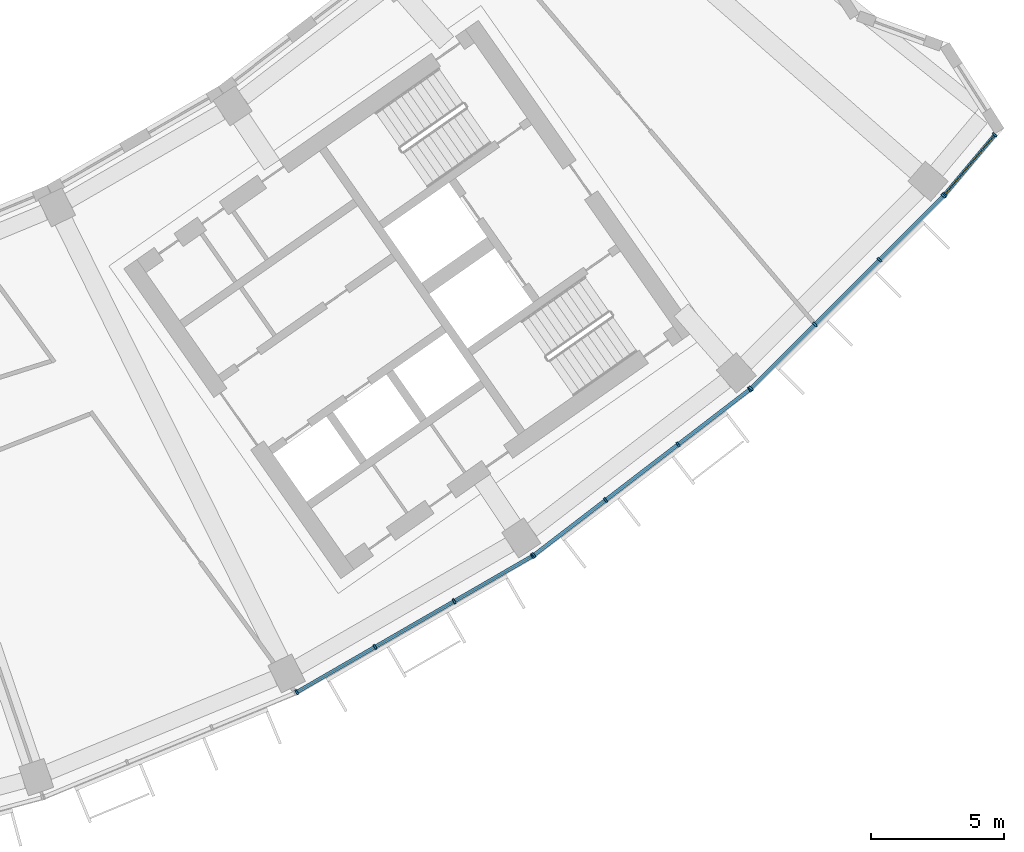
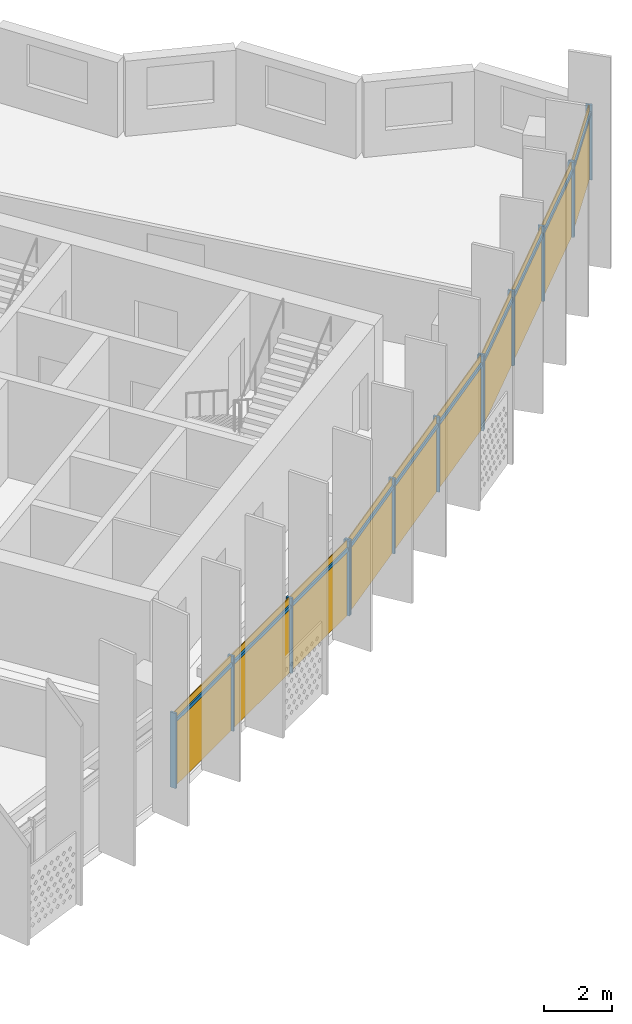
# One storey, part 21 of 28: 24 members, 4 curtain walls.
"""IFC4 building model written with IfcOpenShell, lengths in metres."""

from ifc_helpers import new_model, si_unit, direction, frame, origin, origin_2d, place, context, subcontext, project, spatial, rectangle, extrude, material, material_profile, profile_set, type_object, element, aggregate, save


model = new_model("IFC4")

# Units and contexts
model_context = context("Model", 3, precision=1e-05, world=origin(), true_north=direction((0.0, 1.0)))
body_context = subcontext(model_context, "Body", "Model", "MODEL_VIEW")
ifc_project = project(units=[si_unit("LENGTHUNIT", "METRE"), si_unit("AREAUNIT", "SQUARE_METRE"), si_unit("VOLUMEUNIT", "CUBIC_METRE"), si_unit("PLANEANGLEUNIT", "RADIAN"), si_unit("MASSUNIT", "GRAM", prefix="KILO")], contexts=[model_context])

# Member
ifc_material = material(Name="Aluminium 6063-T6 anodised", Category="aluminium")
ifc_material_profile_1 = material_profile(ifc_material, rectangle(XDim=0.199951171875, YDim=0.070068359375, at=origin_2d()))
ifc_profile_set_1 = profile_set([ifc_material_profile_1], Name="Aluminium 6063-T6 anodised")
member_type_1 = type_object("IfcMemberType", Name="Mullion 70 x 200 aluminium", PredefinedType="MULLION", material=ifc_profile_set_1)
site_placement = place(None, origin())
building_placement = place(site_placement, origin())
storey_placement = place(building_placement, frame((0.0, 0.0, 241.699951171875)))
member_1_placement = place(storey_placement, frame((34.766357421875, -70.43505859375, 0.0), z_axis=(0.0, 0.0, 1.0), x_axis=(-0.5, 0.866025403784, 0.0)))
member_1 = element("IfcMember", 1, at=member_1_placement, type_object=member_type_1, Name="e-cw1-L58-out12/M00", PredefinedType="MULLION", context=body_context, shape_type="SweptSolid", body=[
    extrude(rectangle(XDim=0.199951171875, YDim=0.070068359375, at=origin_2d()), origin(), (0.0, 0.0, 1.0), 2.699951171875),
])

member_2_placement = place(storey_placement, frame((37.705810546875, -68.73779296875, 0.0), z_axis=(0.0, 0.0, 1.0), x_axis=(-0.5, 0.866025403784, 0.0)))
member_2 = element("IfcMember", 2, at=member_2_placement, type_object=member_type_1, Name="e-cw1-L58-out12/M01", PredefinedType="MULLION", context=body_context, shape_type="SweptSolid", body=[
    extrude(rectangle(XDim=0.199951171875, YDim=0.070068359375, at=origin_2d()), origin(), (0.0, 0.0, 1.0), 2.699951171875),
])

member_3_placement = place(storey_placement, frame((40.67578125, -67.023193359375, 0.0), z_axis=(0.0, 0.0, 1.0), x_axis=(-0.5, 0.866025403784, 0.0)))
member_3 = element("IfcMember", 3, at=member_3_placement, type_object=member_type_1, Name="e-cw1-L58-out12/M02", PredefinedType="MULLION", context=body_context, shape_type="SweptSolid", body=[
    extrude(rectangle(XDim=0.199951171875, YDim=0.070068359375, at=origin_2d()), origin(), (0.0, 0.0, 1.0), 2.699951171875),
])

member_4_placement = place(storey_placement, frame((43.615234375, -65.325927734375, 0.0), z_axis=(0.0, 0.0, 1.0), x_axis=(-0.5, 0.866025403784, 0.0)))
member_4 = element("IfcMember", 4, at=member_4_placement, type_object=member_type_1, Name="e-cw1-L58-out12/M03", PredefinedType="MULLION", context=body_context, shape_type="SweptSolid", body=[
    extrude(rectangle(XDim=0.199951171875, YDim=0.070068359375, at=origin_2d()), origin(), (0.0, 0.0, 1.0), 2.699951171875),
])

member_5_placement = place(storey_placement, frame((43.66259765625, -65.29443359375, 0.0), z_axis=(0.0, 0.0, 1.0), x_axis=(-0.608761429009, 0.793353340291, 0.0)))
member_5 = element("IfcMember", 5, at=member_5_placement, type_object=member_type_1, Name="e-cw1-L58-out13/M00", PredefinedType="MULLION", context=body_context, shape_type="SweptSolid", body=[
    extrude(rectangle(XDim=0.199951171875, YDim=0.070068359375, at=origin_2d()), origin(), (0.0, 0.0, 1.0), 2.699951171875),
])

member_6_placement = place(storey_placement, frame((46.35546875, -63.22802734375, 0.0), z_axis=(0.0, 0.0, 1.0), x_axis=(-0.608761429009, 0.793353340291, 0.0)))
member_6 = element("IfcMember", 6, at=member_6_placement, type_object=member_type_1, Name="e-cw1-L58-out13/M01", PredefinedType="MULLION", context=body_context, shape_type="SweptSolid", body=[
    extrude(rectangle(XDim=0.199951171875, YDim=0.070068359375, at=origin_2d()), origin(), (0.0, 0.0, 1.0), 2.699951171875),
])

member_7_placement = place(storey_placement, frame((49.075927734375, -61.140380859375, 0.0), z_axis=(0.0, 0.0, 1.0), x_axis=(-0.608761429009, 0.793353340291, 0.0)))
member_7 = element("IfcMember", 7, at=member_7_placement, type_object=member_type_1, Name="e-cw1-L58-out13/M02", PredefinedType="MULLION", context=body_context, shape_type="SweptSolid", body=[
    extrude(rectangle(XDim=0.199951171875, YDim=0.070068359375, at=origin_2d()), origin(), (0.0, 0.0, 1.0), 2.699951171875),
])

member_8_placement = place(storey_placement, frame((51.768798828125, -59.07421875, 0.0), z_axis=(0.0, 0.0, 1.0), x_axis=(-0.608761429009, 0.793353340291, 0.0)))
member_8 = element("IfcMember", 8, at=member_8_placement, type_object=member_type_1, Name="e-cw1-L58-out13/M03", PredefinedType="MULLION", context=body_context, shape_type="SweptSolid", body=[
    extrude(rectangle(XDim=0.199951171875, YDim=0.070068359375, at=origin_2d()), origin(), (0.0, 0.0, 1.0), 2.699951171875),
])

member_9_placement = place(storey_placement, frame((51.8115234375, -59.03662109375, 0.0), z_axis=(0.0, 0.0, 1.0), x_axis=(-0.707106781187, 0.707106781187, 0.0)))
member_9 = element("IfcMember", 9, at=member_9_placement, type_object=member_type_1, Name="e-cw1-L58-out14/M00", PredefinedType="MULLION", context=body_context, shape_type="SweptSolid", body=[
    extrude(rectangle(XDim=0.199951171875, YDim=0.070068359375, at=origin_2d()), origin(), (0.0, 0.0, 1.0), 2.699951171875),
])

member_10_placement = place(storey_placement, frame((54.211669921875, -56.63671875, 0.0), z_axis=(0.0, 0.0, 1.0), x_axis=(-0.707106781187, 0.707106781187, 0.0)))
member_10 = element("IfcMember", 10, at=member_10_placement, type_object=member_type_1, Name="e-cw1-L58-out14/M01", PredefinedType="MULLION", context=body_context, shape_type="SweptSolid", body=[
    extrude(rectangle(XDim=0.199951171875, YDim=0.070068359375, at=origin_2d()), origin(), (0.0, 0.0, 1.0), 2.699951171875),
])

member_11_placement = place(storey_placement, frame((56.63671875, -54.211669921875, 0.0), z_axis=(0.0, 0.0, 1.0), x_axis=(-0.707106781187, 0.707106781187, 0.0)))
member_11 = element("IfcMember", 11, at=member_11_placement, type_object=member_type_1, Name="e-cw1-L58-out14/M02", PredefinedType="MULLION", context=body_context, shape_type="SweptSolid", body=[
    extrude(rectangle(XDim=0.199951171875, YDim=0.070068359375, at=origin_2d()), origin(), (0.0, 0.0, 1.0), 2.699951171875),
])

member_12_placement = place(storey_placement, frame((59.03662109375, -51.8115234375, 0.0), z_axis=(0.0, 0.0, 1.0), x_axis=(-0.707106781187, 0.707106781187, 0.0)))
member_12 = element("IfcMember", 12, at=member_12_placement, type_object=member_type_1, Name="e-cw1-L58-out14/M03", PredefinedType="MULLION", context=body_context, shape_type="SweptSolid", body=[
    extrude(rectangle(XDim=0.199951171875, YDim=0.070068359375, at=origin_2d()), origin(), (0.0, 0.0, 1.0), 2.699951171875),
])

member_13_placement = place(storey_placement, frame((59.078125, -51.766357421875, 0.0), z_axis=(0.0, 0.0, 1.0), x_axis=(-0.765841780173, 0.643029056685, 0.0)))
member_13 = element("IfcMember", 13, at=member_13_placement, type_object=member_type_1, Name="e-cw1-L58-out15/M00", PredefinedType="MULLION", context=body_context, shape_type="SweptSolid", body=[
    extrude(rectangle(XDim=0.199951171875, YDim=0.070068359375, at=origin_2d()), origin(), (0.0, 0.0, 1.0), 2.699951171875),
])

member_14_placement = place(storey_placement, frame((60.960205078125, -49.52490234375, 0.0), z_axis=(0.0, 0.0, 1.0), x_axis=(-0.765841780173, 0.643029056685, 0.0)))
member_14 = element("IfcMember", 14, at=member_14_placement, type_object=member_type_1, Name="e-cw1-L58-out15/M01", PredefinedType="MULLION", context=body_context, shape_type="SweptSolid", body=[
    extrude(rectangle(XDim=0.199951171875, YDim=0.070068359375, at=origin_2d()), origin(), (0.0, 0.0, 1.0), 2.699951171875),
])

ifc_material_profile_2 = material_profile(ifc_material, rectangle(XDim=0.139892578125, YDim=0.1201171875, at=origin_2d()))
ifc_profile_set_2 = profile_set([ifc_material_profile_2], Name="Aluminium 6063-T6 anodised")
member_type_2 = type_object("IfcMemberType", Name="Transom 120 x 140 aluminium", PredefinedType="USERDEFINED", material=ifc_profile_set_2)
member_15_placement = place(storey_placement, frame((34.796630859375, -70.41748046875, 2.400146484375), z_axis=(0.866029041019, 0.499993700073, 0.0), x_axis=(-0.499993700073, 0.866029041019, 0.0)))
member_15 = element("IfcMember", 15, at=member_15_placement, type_object=member_type_2, Name="e-cw1-L58-out12/T00", ObjectType="TRANSOM", PredefinedType="USERDEFINED", context=body_context, shape_type="SweptSolid", body=[
    extrude(rectangle(XDim=0.139892578125, YDim=0.1201171875, at=origin_2d()), origin(), (0.0, 0.0, 1.0), 3.32421875),
])

member_16_placement = place(storey_placement, frame((37.736083984375, -68.72021484375, 2.400146484375), z_axis=(0.866034314054, 0.499984566643, 0.0), x_axis=(-0.499984566643, 0.866034314054, 0.0)))
member_16 = element("IfcMember", 16, at=member_16_placement, type_object=member_type_2, Name="e-cw1-L58-out12/T01", ObjectType="TRANSOM", PredefinedType="USERDEFINED", context=body_context, shape_type="SweptSolid", body=[
    extrude(rectangle(XDim=0.139892578125, YDim=0.1201171875, at=origin_2d()), origin(), (0.0, 0.0, 1.0), 3.359375),
])

member_17_placement = place(storey_placement, frame((40.7060546875, -67.005615234375, 2.400146484375), z_axis=(0.866029041019, 0.499993700073, 0.0), x_axis=(-0.499993700073, 0.866029041019, 0.0)))
member_17 = element("IfcMember", 17, at=member_17_placement, type_object=member_type_2, Name="e-cw1-L58-out12/T02", ObjectType="TRANSOM", PredefinedType="USERDEFINED", context=body_context, shape_type="SweptSolid", body=[
    extrude(rectangle(XDim=0.139892578125, YDim=0.1201171875, at=origin_2d()), origin(), (0.0, 0.0, 1.0), 3.32421875),
])

member_18_placement = place(storey_placement, frame((43.690185546875, -65.273193359375, 2.400146484375), z_axis=(0.793368713958, 0.608741393132, 0.0), x_axis=(-0.608741393132, 0.793368713958, 0.0)))
member_18 = element("IfcMember", 18, at=member_18_placement, type_object=member_type_2, Name="e-cw1-L58-out13/T00", ObjectType="TRANSOM", PredefinedType="USERDEFINED", context=body_context, shape_type="SweptSolid", body=[
    extrude(rectangle(XDim=0.139892578125, YDim=0.1201171875, at=origin_2d()), origin(), (0.0, 0.0, 1.0), 3.324462890625),
])

member_19_placement = place(storey_placement, frame((46.383056640625, -63.206787109375, 2.400146484375), z_axis=(0.793385234627, 0.608719861247, 0.0), x_axis=(-0.608719861247, 0.793385234627, 0.0)))
member_19 = element("IfcMember", 19, at=member_19_placement, type_object=member_type_2, Name="e-cw1-L58-out13/T01", ObjectType="TRANSOM", PredefinedType="USERDEFINED", context=body_context, shape_type="SweptSolid", body=[
    extrude(rectangle(XDim=0.139892578125, YDim=0.1201171875, at=origin_2d()), origin(), (0.0, 0.0, 1.0), 3.359375),
])

member_20_placement = place(storey_placement, frame((49.103759765625, -61.119140625, 2.400146484375), z_axis=(0.793368713958, 0.608741393132, 0.0), x_axis=(-0.608741393132, 0.793368713958, 0.0)))
member_20 = element("IfcMember", 20, at=member_20_placement, type_object=member_type_2, Name="e-cw1-L58-out13/T02", ObjectType="TRANSOM", PredefinedType="USERDEFINED", context=body_context, shape_type="SweptSolid", body=[
    extrude(rectangle(XDim=0.139892578125, YDim=0.1201171875, at=origin_2d()), origin(), (0.0, 0.0, 1.0), 3.324462890625),
])

member_21_placement = place(storey_placement, frame((51.83642578125, -59.011962890625, 2.400146484375), z_axis=(0.707106781187, 0.707106781187, 0.0), x_axis=(-0.707106781187, 0.707106781187, 0.0)))
member_21 = element("IfcMember", 21, at=member_21_placement, type_object=member_type_2, Name="e-cw1-L58-out14/T00", ObjectType="TRANSOM", PredefinedType="USERDEFINED", context=body_context, shape_type="SweptSolid", body=[
    extrude(rectangle(XDim=0.139892578125, YDim=0.1201171875, at=origin_2d()), origin(), (0.0, 0.0, 1.0), 3.32421875),
])

member_22_placement = place(storey_placement, frame((54.236572265625, -56.61181640625, 2.400146484375), z_axis=(0.707106781187, 0.707106781187, 0.0), x_axis=(-0.707106781187, 0.707106781187, 0.0)))
member_22 = element("IfcMember", 22, at=member_22_placement, type_object=member_type_2, Name="e-cw1-L58-out14/T01", ObjectType="TRANSOM", PredefinedType="USERDEFINED", context=body_context, shape_type="SweptSolid", body=[
    extrude(rectangle(XDim=0.139892578125, YDim=0.1201171875, at=origin_2d()), origin(), (0.0, 0.0, 1.0), 3.359130859375),
])

member_23_placement = place(storey_placement, frame((56.661376953125, -54.18701171875, 2.400146484375), z_axis=(0.707106781187, 0.707106781187, 0.0), x_axis=(-0.707106781187, 0.707106781187, 0.0)))
member_23 = element("IfcMember", 23, at=member_23_placement, type_object=member_type_2, Name="e-cw1-L58-out14/T02", ObjectType="TRANSOM", PredefinedType="USERDEFINED", context=body_context, shape_type="SweptSolid", body=[
    extrude(rectangle(XDim=0.139892578125, YDim=0.1201171875, at=origin_2d()), origin(), (0.0, 0.0, 1.0), 3.32421875),
])

member_24_placement = place(storey_placement, frame((59.1005859375, -51.73974609375, 2.400146484375), z_axis=(0.643037760011, 0.765834472455, 0.0), x_axis=(-0.765834472455, 0.643037760011, 0.0)))
member_24 = element("IfcMember", 24, at=member_24_placement, type_object=member_type_2, Name="e-cw1-L58-out15/T00", ObjectType="TRANSOM", PredefinedType="USERDEFINED", context=body_context, shape_type="SweptSolid", body=[
    extrude(rectangle(XDim=0.139892578125, YDim=0.1201171875, at=origin_2d()), origin(), (0.0, 0.0, 1.0), 2.85693359375),
])

# Site, building, storey
site = spatial("IfcSite", under=ifc_project, at=site_placement, CompositionType="ELEMENT")
building = spatial("IfcBuilding", under=site, at=building_placement, Name="Qamariyya Broadcast Tower", CompositionType="ELEMENT")
storey = spatial("IfcBuildingStorey", under=building, at=storey_placement, Name="L58", CompositionType="ELEMENT", Elevation=241.699951171875)

# Curtain wall
curtain_wall_type = type_object("IfcCurtainWallType", Name="Unitised curtain wall, anodised aluminium", PredefinedType="NOTDEFINED", material=ifc_material)
curtain_wall_1_placement = place(storey_placement, origin())
curtain_wall_1 = element("IfcCurtainWall", 25, at=curtain_wall_1_placement, inside=storey, type_object=curtain_wall_type, Name="e-cw1-L58-out12", PredefinedType="NOTDEFINED", context=body_context, shape_type="SweptSolid", body=[
    extrude(rectangle(XDim=3.32421875, YDim=0.031982421875, at=origin_2d()), frame((36.236083984375, -69.58642578125, 0.0), x_axis=(0.866027904674, 0.499995668308, 0.0)), (0.0, 0.0, 1.0), 2.340087890625),
    extrude(rectangle(XDim=3.32421875, YDim=0.031982421875, at=origin_2d()), frame((36.236083984375, -69.58642578125, 2.4599609375), x_axis=(0.866027904674, 0.499995668308, 0.0)), (0.0, 0.0, 1.0), 0.239990234375),
    extrude(rectangle(XDim=3.359130859375, YDim=0.031982421875, at=origin_2d()), frame((39.19091796875, -67.88037109375, 0.0), x_axis=(0.866027904674, 0.499995668308, 0.0)), (0.0, 0.0, 1.0), 2.340087890625),
    extrude(rectangle(XDim=3.359130859375, YDim=0.031982421875, at=origin_2d()), frame((39.19091796875, -67.88037109375, 2.4599609375), x_axis=(0.866027904674, 0.499995668308, 0.0)), (0.0, 0.0, 1.0), 0.239990234375),
    extrude(rectangle(XDim=3.32421875, YDim=0.031982421875, at=origin_2d()), frame((42.1455078125, -66.174560546875, 0.0), x_axis=(0.866027904674, 0.499995668308, 0.0)), (0.0, 0.0, 1.0), 2.340087890625),
    extrude(rectangle(XDim=3.32421875, YDim=0.031982421875, at=origin_2d()), frame((42.1455078125, -66.174560546875, 2.4599609375), x_axis=(0.866027904674, 0.499995668308, 0.0)), (0.0, 0.0, 1.0), 0.239990234375),
])

aggregate(curtain_wall_1, [member_1, member_2, member_3, member_4, member_15, member_16, member_17])

curtain_wall_2_placement = place(storey_placement, origin())
curtain_wall_2 = element("IfcCurtainWall", 26, at=curtain_wall_2_placement, inside=storey, type_object=curtain_wall_type, Name="e-cw1-L58-out13", PredefinedType="NOTDEFINED", context=body_context, shape_type="SweptSolid", body=[
    extrude(rectangle(XDim=3.32421875, YDim=0.031982421875, at=origin_2d()), frame((45.009033203125, -64.26123046875, 0.0), x_axis=(0.793359168734, 0.608753833159, 0.0)), (0.0, 0.0, 1.0), 2.340087890625),
    extrude(rectangle(XDim=3.32421875, YDim=0.031982421875, at=origin_2d()), frame((45.009033203125, -64.26123046875, 2.4599609375), x_axis=(0.793359168734, 0.608753833159, 0.0)), (0.0, 0.0, 1.0), 0.239990234375),
    extrude(rectangle(XDim=3.359130859375, YDim=0.031982421875, at=origin_2d()), frame((47.7158203125, -62.184326171875, 0.0), x_axis=(0.793359168734, 0.608753833159, 0.0)), (0.0, 0.0, 1.0), 2.340087890625),
    extrude(rectangle(XDim=3.359130859375, YDim=0.031982421875, at=origin_2d()), frame((47.7158203125, -62.184326171875, 2.4599609375), x_axis=(0.793359168734, 0.608753833159, 0.0)), (0.0, 0.0, 1.0), 0.239990234375),
    extrude(rectangle(XDim=3.32421875, YDim=0.031982421875, at=origin_2d()), frame((50.42236328125, -60.107421875, 0.0), x_axis=(0.793359168734, 0.608753833159, 0.0)), (0.0, 0.0, 1.0), 2.340087890625),
    extrude(rectangle(XDim=3.32421875, YDim=0.031982421875, at=origin_2d()), frame((50.42236328125, -60.107421875, 2.4599609375), x_axis=(0.793359168734, 0.608753833159, 0.0)), (0.0, 0.0, 1.0), 0.239990234375),
])

aggregate(curtain_wall_2, [member_5, member_6, member_7, member_8, member_18, member_19, member_20])

curtain_wall_3_placement = place(storey_placement, origin())
curtain_wall_3 = element("IfcCurtainWall", 27, at=curtain_wall_3_placement, inside=storey, type_object=curtain_wall_type, Name="e-cw1-L58-out14", PredefinedType="NOTDEFINED", context=body_context, shape_type="SweptSolid", body=[
    extrude(rectangle(XDim=3.32421875, YDim=0.031982421875, at=origin_2d()), frame((53.01171875, -57.836669921875, 0.0), x_axis=(0.707106781187, 0.707106781187, 0.0)), (0.0, 0.0, 1.0), 2.340087890625),
    extrude(rectangle(XDim=3.32421875, YDim=0.031982421875, at=origin_2d()), frame((53.01171875, -57.836669921875, 2.4599609375), x_axis=(0.707106781187, 0.707106781187, 0.0)), (0.0, 0.0, 1.0), 0.239990234375),
    extrude(rectangle(XDim=3.359375, YDim=0.031982421875, at=origin_2d()), frame((55.42431640625, -55.42431640625, 0.0), x_axis=(0.707106781187, 0.707106781187, 0.0)), (0.0, 0.0, 1.0), 2.340087890625),
    extrude(rectangle(XDim=3.359375, YDim=0.031982421875, at=origin_2d()), frame((55.42431640625, -55.42431640625, 2.4599609375), x_axis=(0.707106781187, 0.707106781187, 0.0)), (0.0, 0.0, 1.0), 0.239990234375),
    extrude(rectangle(XDim=3.32421875, YDim=0.031982421875, at=origin_2d()), frame((57.836669921875, -53.01171875, 0.0), x_axis=(0.707106781187, 0.707106781187, 0.0)), (0.0, 0.0, 1.0), 2.340087890625),
    extrude(rectangle(XDim=3.32421875, YDim=0.031982421875, at=origin_2d()), frame((57.836669921875, -53.01171875, 2.4599609375), x_axis=(0.707106781187, 0.707106781187, 0.0)), (0.0, 0.0, 1.0), 0.239990234375),
])

aggregate(curtain_wall_3, [member_9, member_10, member_11, member_12, member_21, member_22, member_23])

curtain_wall_4_placement = place(storey_placement, origin())
curtain_wall_4 = element("IfcCurtainWall", 28, at=curtain_wall_4_placement, inside=storey, type_object=curtain_wall_type, Name="e-cw1-L58-out15", PredefinedType="NOTDEFINED", context=body_context, shape_type="SweptSolid", body=[
    extrude(rectangle(XDim=2.85693359375, YDim=0.031982421875, at=origin_2d()), frame((60.01904296875, -50.6455078125, 0.0), x_axis=(0.643008655546, 0.76585890926, 0.0)), (0.0, 0.0, 1.0), 2.340087890625),
    extrude(rectangle(XDim=2.85693359375, YDim=0.031982421875, at=origin_2d()), frame((60.01904296875, -50.6455078125, 2.4599609375), x_axis=(0.643008655546, 0.76585890926, 0.0)), (0.0, 0.0, 1.0), 0.239990234375),
])

aggregate(curtain_wall_4, [member_13, member_14, member_24])

save(model, "model.ifc")
